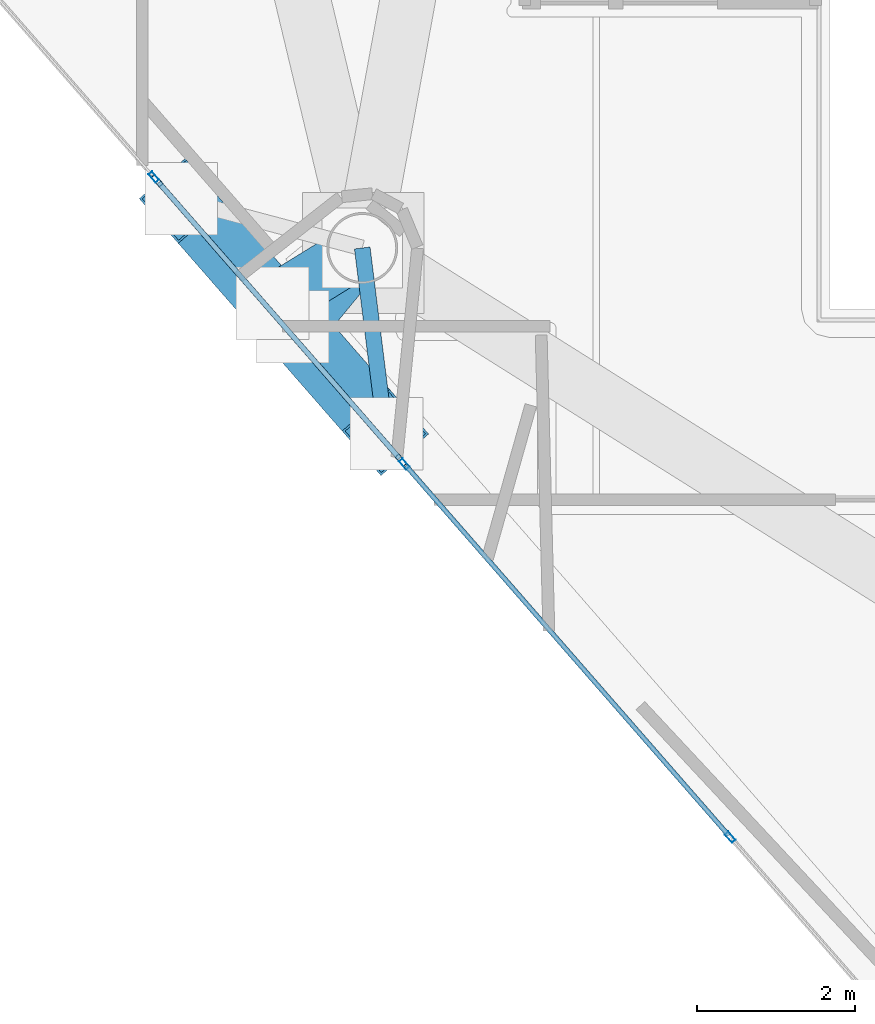
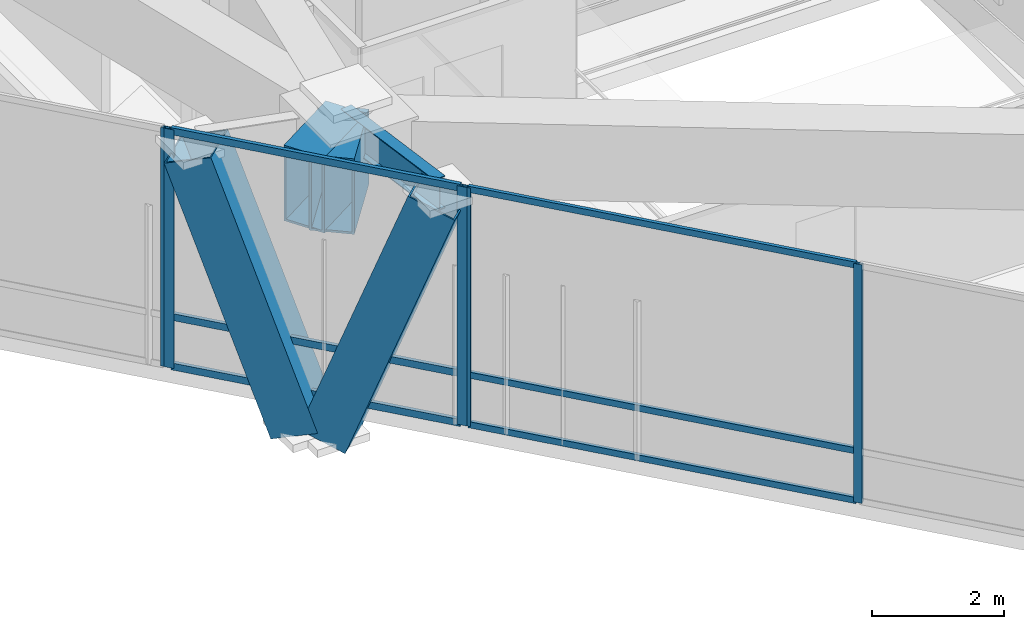
# One storey, part 2 of 20: 13 members, 3 beams, 3 elements without a shape of their own.
"""IFC4 building model written with IfcOpenShell, lengths in metres."""

from ifc_helpers import new_model, si_unit, direction, frame, origin, origin_2d, place, context, subcontext, project, spatial, hollow_rectangle, i_section, extrude, material, layer, layer_set, material_profile, profile_set, type_object, element, aggregate, save


model = new_model("IFC4")

# Units and contexts
model_context = context("Model", 3, precision=1e-05, world=origin(), true_north=direction((0.0, 1.0)))
body_context = subcontext(model_context, "Body", "Model", "MODEL_VIEW")
ifc_project = project(units=[si_unit("LENGTHUNIT", "METRE"), si_unit("AREAUNIT", "SQUARE_METRE"), si_unit("VOLUMEUNIT", "CUBIC_METRE"), si_unit("PLANEANGLEUNIT", "RADIAN"), si_unit("MASSUNIT", "GRAM", prefix="KILO")], contexts=[model_context])

# Site, building, storey
site_placement = place(None, origin())
site = spatial("IfcSite", under=ifc_project, at=site_placement, CompositionType="ELEMENT")
building_placement = place(site_placement, origin())
building = spatial("IfcBuilding", under=site, at=building_placement, Name="Qianvela Tower", CompositionType="ELEMENT")
storey_placement = place(building_placement, frame((0.0, 0.0, 321.300048828125)))
storey = spatial("IfcBuildingStorey", under=building, at=storey_placement, Name="L83", CompositionType="ELEMENT", Elevation=321.300048828125)

# Beams
ifc_material_1 = material(Name="Steel Q355B", Category="steel")
ifc_material_profile_1 = material_profile(ifc_material_1, i_section(OverallWidth=0.199951171875, OverallDepth=0.60009765625, WebThickness=0.010986328125, FlangeThickness=0.01708984375, at=origin_2d()), Name="HN600x200x11x17")
ifc_profile_set_1 = profile_set([ifc_material_profile_1], Name="Steel Q355B")
beam_type_1 = type_object("IfcBeamType", Name="BM-HN600-GIRD", PredefinedType="BEAM", material=ifc_profile_set_1)
beam_placement = place(storey_placement, frame((27.669921875, 18.77392578125, 4.117919921875), z_axis=(0.124034734589, -0.992277876714, 0.0), x_axis=(0.992277876714, 0.124034734589, 0.0)))
element("IfcBeam", 1, at=beam_placement, inside=storey, type_object=beam_type_1, Name="L83 Mega-Brace Column Tie Bracket F2-2", PredefinedType="BEAM", context=body_context, shape_type="SweptSolid", body=[
    extrude(i_section(OverallWidth=0.199951171875, OverallDepth=0.60009765625, WebThickness=0.010986328125, FlangeThickness=0.01708984375, at=origin_2d()), origin(), (0.0, 0.0, 1.0), 2.358154296875),
])
ifc_material_2 = material(Name="Steel Q420GJC", Category="steel")
ifc_material_profile_2 = material_profile(ifc_material_2, hollow_rectangle(XDim=0.699951171875, YDim=1.39990234375, WallThickness=0.0400390625, at=origin_2d()), Name="TG-BOX-1400x700x40")
ifc_profile_set_2 = profile_set([ifc_material_profile_2], Name="Steel Q420GJC")
beam_type_2 = type_object("IfcBeamType", Name="BM-TG-STEP-1400", PredefinedType="BEAM", material=ifc_profile_set_2)
for number, where, z_axis, x_axis, name in (
    (2, (27.669921875, 18.77392578125, 3.71484375), (-0.851275569141, -0.524718882245, 0.0), (0.524718882245, -0.851275569141, 0.0), "L83 Mega-Brace Zone Base Bracket F2-1"),
    (3, (27.669921875, 18.77392578125, 3.71484375), (-0.63488742267, -0.772604659923, 0.0), (0.772604659923, -0.63488742267, 0.0), "L83 Mega-Brace Zone Base Bracket F2-2"),
):
    element("IfcBeam", number, at=place(storey_placement, frame(where, z_axis=z_axis, x_axis=x_axis)), inside=storey, type_object=beam_type_2, Name=name, PredefinedType="BEAM", context=body_context, shape_type="SweptSolid", body=[
        extrude(hollow_rectangle(XDim=0.699951171875, YDim=1.39990234375, WallThickness=0.0400390625, at=origin_2d()), origin(), (0.0, 0.0, 1.0), 1.336669921875),
    ])

# Curtain wall, members
ifc_material_3 = material(Name="Anodised Architectural Aluminium and Insulated Spandrel Panel", Category="aluminium")
ifc_layer_1 = layer(ifc_material_3, 0.179931640625)
ifc_layer_set_1 = layer_set([ifc_layer_1], Name="Anodised Architectural Aluminium and Insulated Spandrel Panel")
curtain_wall_type_1 = type_object("IfcCurtainWallType", Name="CW-BRACEBAY", PredefinedType="USERDEFINED", material=ifc_layer_set_1)
curtain_wall_1_placement = place(storey_placement, origin())
curtain_wall_1 = element("IfcCurtainWall", 4, at=curtain_wall_1_placement, inside=storey, type_object=curtain_wall_type_1, Name="L83 CW-BRACEBAY Curtain Wall 04B", ObjectType="CURTAIN_WALL_SYSTEM", PredefinedType="USERDEFINED")
ifc_material_4 = material(Name="Anodised Architectural Aluminium 6063-T6", Category="aluminium")
ifc_material_profile_3 = material_profile(ifc_material_4, hollow_rectangle(XDim=0.06494140625, YDim=0.159912109375, WallThickness=0.0048828125, at=origin_2d()), Name="ALU-MULL-65x160")
ifc_profile_set_3 = profile_set([ifc_material_profile_3], Name="Anodised Architectural Aluminium 6063-T6")
member_type_1 = type_object("IfcMemberType", Name="CW-BRACEBAY-MULL", PredefinedType="MULLION", material=ifc_profile_set_3)
member_1_placement = place(storey_placement, frame((25.06884765625, 19.627197265625, 0.0), z_axis=(0.0, 0.0, 1.0), x_axis=(0.753337220898, 0.657634420944, 0.0)))
member_1 = element("IfcMember", 5, at=member_1_placement, type_object=member_type_1, Name="CW-9 mullion 1", PredefinedType="MULLION", context=body_context, shape_type="SweptSolid", body=[
    extrude(hollow_rectangle(XDim=0.06494140625, YDim=0.159912109375, WallThickness=0.0048828125, at=origin_2d()), origin(), (0.0, 0.0, 1.0), 4.419921875),
])
member_2_placement = place(storey_placement, frame((28.1630859375, 16.082763671875, 0.0), z_axis=(0.0, 0.0, 1.0), x_axis=(0.753337220898, 0.657634420944, 0.0)))
member_2 = element("IfcMember", 6, at=member_2_placement, type_object=member_type_1, Name="CW-9 mullion 2", PredefinedType="MULLION", context=body_context, shape_type="SweptSolid", body=[
    extrude(hollow_rectangle(XDim=0.06494140625, YDim=0.159912109375, WallThickness=0.0048828125, at=origin_2d()), origin(), (0.0, 0.0, 1.0), 4.419921875),
])
ifc_material_5 = material(Name="Anodised Architectural Aluminium 6063-T6", Category="aluminium")
ifc_material_profile_4 = material_profile(ifc_material_5, hollow_rectangle(XDim=0.06494140625, YDim=0.1298828125, WallThickness=0.00439453125, at=origin_2d()), Name="ALU-TRAN-65x130")
ifc_profile_set_4 = profile_set([ifc_material_profile_4], Name="Anodised Architectural Aluminium 6063-T6")
member_type_2 = type_object("IfcMemberType", Name="CW-BRACEBAY-TRAN", PredefinedType="USERDEFINED", material=ifc_profile_set_4)
member_3_placement = place(storey_placement, frame((25.09033203125, 19.6025390625, 0.032470703125), z_axis=(0.657628735892, -0.753342183691, 0.0), x_axis=(0.753342183691, 0.657628735892, 0.0)))
member_3 = element("IfcMember", 7, at=member_3_placement, type_object=member_type_2, Name="CW-9 transom 1.1", ObjectType="TRANSOM", PredefinedType="USERDEFINED", context=body_context, shape_type="SweptSolid", body=[
    extrude(hollow_rectangle(XDim=0.06494140625, YDim=0.1298828125, WallThickness=0.00439453125, at=origin_2d()), origin(), (0.0, 0.0, 1.0), 4.639892578125),
])
member_4_placement = place(storey_placement, frame((25.09033203125, 19.6025390625, 0.949951171875), z_axis=(0.657628735892, -0.753342183691, 0.0), x_axis=(0.753342183691, 0.657628735892, 0.0)))
member_4 = element("IfcMember", 8, at=member_4_placement, type_object=member_type_2, Name="CW-9 transom 1.2", ObjectType="TRANSOM", PredefinedType="USERDEFINED", context=body_context, shape_type="SweptSolid", body=[
    extrude(hollow_rectangle(XDim=0.06494140625, YDim=0.1298828125, WallThickness=0.00439453125, at=origin_2d()), origin(), (0.0, 0.0, 1.0), 4.639892578125),
])
member_5_placement = place(storey_placement, frame((25.09033203125, 19.6025390625, 4.387451171875), z_axis=(0.657628735892, -0.753342183691, 0.0), x_axis=(0.753342183691, 0.657628735892, 0.0)))
member_5 = element("IfcMember", 9, at=member_5_placement, type_object=member_type_2, Name="CW-9 transom 1.3", ObjectType="TRANSOM", PredefinedType="USERDEFINED", context=body_context, shape_type="SweptSolid", body=[
    extrude(hollow_rectangle(XDim=0.06494140625, YDim=0.1298828125, WallThickness=0.00439453125, at=origin_2d()), origin(), (0.0, 0.0, 1.0), 4.639892578125),
])
aggregate(curtain_wall_1, [member_1, member_2, member_3, member_4, member_5])

# Curtain wall, member
ifc_material_6 = material(Name="Anodised Architectural Aluminium and Low-E Glass", Category="aluminium")
ifc_layer_2 = layer(ifc_material_6, 0.14990234375)
ifc_layer_set_2 = layer_set([ifc_layer_2], Name="Anodised Architectural Aluminium and Low-E Glass")
curtain_wall_type_2 = type_object("IfcCurtainWallType", Name="CW-COLIV-Z78", PredefinedType="USERDEFINED", material=ifc_layer_set_2)
curtain_wall_2_placement = place(storey_placement, origin())
curtain_wall_2 = element("IfcCurtainWall", 10, at=curtain_wall_2_placement, inside=storey, type_object=curtain_wall_type_2, Name="L83 CW-COLIV-Z78 Curtain Wall 04A", ObjectType="CURTAIN_WALL_SYSTEM", PredefinedType="USERDEFINED")
ifc_material_7 = material(Name="Anodised Architectural Aluminium 6063-T6", Category="aluminium")
ifc_material_profile_5 = material_profile(ifc_material_7, hollow_rectangle(XDim=0.06005859375, YDim=0.139892578125, WallThickness=0.00439453125, at=origin_2d()), Name="ALU-MULL-60x140")
ifc_profile_set_5 = profile_set([ifc_material_profile_5], Name="Anodised Architectural Aluminium 6063-T6")
member_type_3 = type_object("IfcMemberType", Name="CW-COLIV-Z78-MULL", PredefinedType="MULLION", material=ifc_profile_set_5)
member_6_placement = place(storey_placement, frame((25.02783203125, 19.67431640625, 0.0), z_axis=(0.0, 0.0, 1.0), x_axis=(0.753331511367, 0.657640961301, 0.0)))
member_6 = element("IfcMember", 11, at=member_6_placement, type_object=member_type_3, Name="CW-6 mullion 2", PredefinedType="MULLION", context=body_context, shape_type="SweptSolid", body=[
    extrude(hollow_rectangle(XDim=0.06005859375, YDim=0.139892578125, WallThickness=0.00439453125, at=origin_2d()), origin(), (0.0, 0.0, 1.0), 4.419921875),
])
aggregate(curtain_wall_2, [member_6])

# Curtain wall, members
curtain_wall_3_placement = place(storey_placement, origin())
curtain_wall_3 = element("IfcCurtainWall", 12, at=curtain_wall_3_placement, inside=storey, type_object=curtain_wall_type_2, Name="L83 CW-COLIV-Z78 Curtain Wall 04C", ObjectType="CURTAIN_WALL_SYSTEM", PredefinedType="USERDEFINED")
member_7_placement = place(storey_placement, frame((28.2041015625, 16.03564453125, 0.0), z_axis=(0.0, 0.0, 1.0), x_axis=(0.753333389016, 0.657638810438, 0.0)))
member_7 = element("IfcMember", 13, at=member_7_placement, type_object=member_type_3, Name="CW-6 mullion 1", PredefinedType="MULLION", context=body_context, shape_type="SweptSolid", body=[
    extrude(hollow_rectangle(XDim=0.06005859375, YDim=0.139892578125, WallThickness=0.00439453125, at=origin_2d()), origin(), (0.0, 0.0, 1.0), 4.419921875),
])
member_8_placement = place(storey_placement, frame((32.335205078125, 11.303466796875, 0.0), z_axis=(0.0, 0.0, 1.0), x_axis=(0.753333389016, 0.657638810438, 0.0)))
member_8 = element("IfcMember", 14, at=member_8_placement, type_object=member_type_3, Name="CW-6 mullion 2", PredefinedType="MULLION", context=body_context, shape_type="SweptSolid", body=[
    extrude(hollow_rectangle(XDim=0.06005859375, YDim=0.139892578125, WallThickness=0.00439453125, at=origin_2d()), origin(), (0.0, 0.0, 1.0), 4.419921875),
])
ifc_material_8 = material(Name="Anodised Architectural Aluminium 6063-T6", Category="aluminium")
ifc_material_profile_6 = material_profile(ifc_material_8, hollow_rectangle(XDim=0.06005859375, YDim=0.114990234375, WallThickness=0.00390625, at=origin_2d()), Name="ALU-TRAN-60x115")
ifc_profile_set_6 = profile_set([ifc_material_profile_6], Name="Anodised Architectural Aluminium 6063-T6")
member_type_4 = type_object("IfcMemberType", Name="CW-COLIV-Z78-TRAN", PredefinedType="USERDEFINED", material=ifc_profile_set_6)
member_9_placement = place(storey_placement, frame((28.223876953125, 16.012939453125, 0.030029296875), z_axis=(0.657631845312, -0.753339469318, 0.0), x_axis=(0.753339469318, 0.657631845312, 0.0)))
member_9 = element("IfcMember", 15, at=member_9_placement, type_object=member_type_4, Name="CW-6 transom 1.1", ObjectType="TRANSOM", PredefinedType="USERDEFINED", context=body_context, shape_type="SweptSolid", body=[
    extrude(hollow_rectangle(XDim=0.06005859375, YDim=0.114990234375, WallThickness=0.00390625, at=origin_2d()), origin(), (0.0, 0.0, 1.0), 6.2216796875),
])
member_10_placement = place(storey_placement, frame((28.223876953125, 16.012939453125, 0.949951171875), z_axis=(0.657631845312, -0.753339469318, 0.0), x_axis=(0.753339469318, 0.657631845312, 0.0)))
member_10 = element("IfcMember", 16, at=member_10_placement, type_object=member_type_4, Name="CW-6 transom 1.2", ObjectType="TRANSOM", PredefinedType="USERDEFINED", context=body_context, shape_type="SweptSolid", body=[
    extrude(hollow_rectangle(XDim=0.06005859375, YDim=0.114990234375, WallThickness=0.00390625, at=origin_2d()), origin(), (0.0, 0.0, 1.0), 6.2216796875),
])
member_11_placement = place(storey_placement, frame((28.223876953125, 16.012939453125, 4.389892578125), z_axis=(0.657631845312, -0.753339469318, 0.0), x_axis=(0.753339469318, 0.657631845312, 0.0)))
member_11 = element("IfcMember", 17, at=member_11_placement, type_object=member_type_4, Name="CW-6 transom 1.3", ObjectType="TRANSOM", PredefinedType="USERDEFINED", context=body_context, shape_type="SweptSolid", body=[
    extrude(hollow_rectangle(XDim=0.06005859375, YDim=0.114990234375, WallThickness=0.00390625, at=origin_2d()), origin(), (0.0, 0.0, 1.0), 6.2216796875),
])
aggregate(curtain_wall_3, [member_7, member_8, member_9, member_10, member_11])

# Members
ifc_material_9 = material(Name="Steel Q420GJC", Category="steel")
ifc_material_profile_7 = material_profile(ifc_material_9, hollow_rectangle(XDim=0.800048828125, YDim=0.800048828125, WallThickness=0.028076171875, at=origin_2d()), Name="MBOX-800x800x28")
ifc_profile_set_7 = profile_set([ifc_material_profile_7], Name="Steel Q420GJC")
member_type_5 = type_object("IfcMemberType", Name="MBR-MBRACE-800", PredefinedType="BRACE", material=ifc_profile_set_7)
member_12_placement = place(storey_placement, frame((26.51708984375, 18.089599609375, -0.60205078125), z_axis=(-0.224254753674, 0.256930207809, 0.940051420812), x_axis=(-0.753388697223, -0.657575448825, 0.0)))
element("IfcMember", 18, at=member_12_placement, inside=storey, type_object=member_type_5, Name="L83 Tier 14 Exterior Mega-Brace F2A", PredefinedType="BRACE", context=body_context, shape_type="SweptSolid", body=[
    extrude(hollow_rectangle(XDim=0.800048828125, YDim=0.800048828125, WallThickness=0.028076171875, at=origin_2d()), origin(), (0.0, 0.0, 1.0), 5.02099609375),
])
member_13_placement = place(storey_placement, frame((26.806396484375, 17.75830078125, -0.60205078125), z_axis=(0.229517961903, -0.262915612536, 0.937121596085), x_axis=(0.753333326067, 0.657638882546, 0.0)))
element("IfcMember", 19, at=member_13_placement, inside=storey, type_object=member_type_5, Name="L83 Tier 14 Exterior Mega-Brace F2B", PredefinedType="BRACE", context=body_context, shape_type="SweptSolid", body=[
    extrude(hollow_rectangle(XDim=0.800048828125, YDim=0.800048828125, WallThickness=0.028076171875, at=origin_2d()), origin(), (0.0, 0.0, 1.0), 5.03662109375),
])

save(model, "model.ifc")
